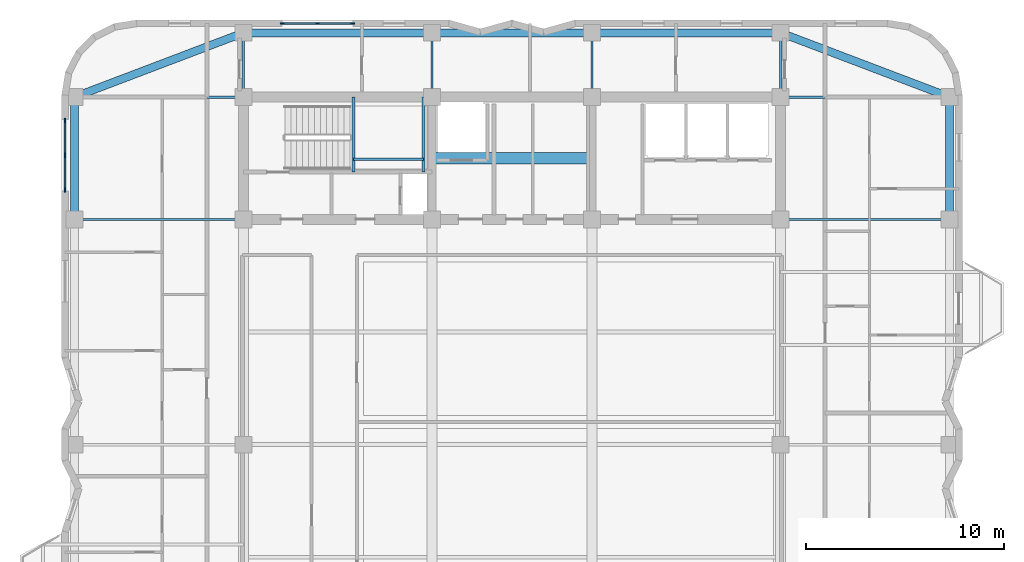
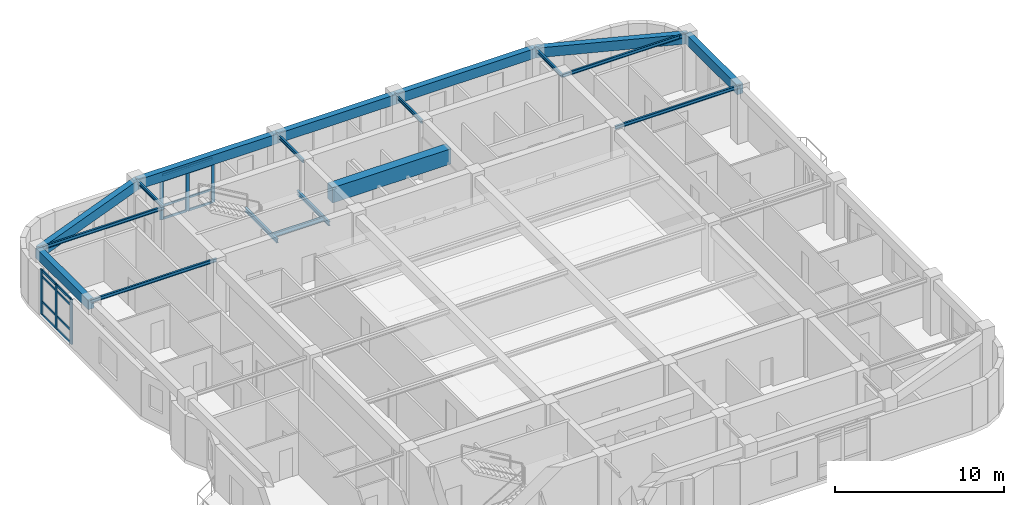
# One storey, part 3 of 11: 22 members, 19 beams, 2 elements without a shape of their own.
"""IFC4 building model written with IfcOpenShell, lengths in metres."""

from ifc_helpers import new_model, si_unit, direction, frame, origin, origin_2d, place, context, subcontext, project, spatial, rectangle, i_section, extrude, material, material_profile, profile_set, type_object, element, aggregate, save


model = new_model("IFC4")

# Units and contexts
model_context = context("Model", 3, precision=1e-05, world=origin(), true_north=direction((0.0, 1.0)))
body_context = subcontext(model_context, "Body", "Model", "MODEL_VIEW")
ifc_project = project(units=[si_unit("LENGTHUNIT", "METRE"), si_unit("AREAUNIT", "SQUARE_METRE"), si_unit("VOLUMEUNIT", "CUBIC_METRE"), si_unit("PLANEANGLEUNIT", "RADIAN"), si_unit("MASSUNIT", "GRAM", prefix="KILO")], contexts=[model_context])

# Site, building, storey
site_placement = place(None, origin())
site = spatial("IfcSite", under=ifc_project, at=site_placement, CompositionType="ELEMENT")
building_placement = place(site_placement, origin())
building = spatial("IfcBuilding", under=site, at=building_placement, Name="Svetorya Sky Lyceum", CompositionType="ELEMENT")
storey_placement = place(building_placement, frame((0.0, 0.0, 203.10009765625)))
storey = spatial("IfcBuildingStorey", under=building, at=storey_placement, Name="L50", CompositionType="ELEMENT", Elevation=203.10009765625)

# Beams
ifc_material_1 = material(Name="Concrete C60/75", Category="concrete")
ifc_material_profile_1 = material_profile(ifc_material_1, rectangle(XDim=0.60009765625, YDim=1.10009765625, at=origin_2d()), Name="RC COUPLING 600x1100")
ifc_profile_set_1 = profile_set([ifc_material_profile_1], Name="Concrete C60/75")
beam_type_1 = type_object("IfcBeamType", Name="BM-CPL-1100", PredefinedType="LINTEL", material=ifc_profile_set_1)
beam_1_placement = place(storey_placement, frame((35.14990234375, 42.699951171875, 3.389892578125), z_axis=(1.0, 0.0, 0.0), x_axis=(0.0, 1.0, 0.0)))
element("IfcBeam", 1, at=beam_1_placement, inside=storey, type_object=beam_type_1, Name="L50 NC Core Coupling Beam", PredefinedType="LINTEL", context=body_context, shape_type="SweptSolid", body=[
    extrude(rectangle(XDim=0.60009765625, YDim=1.10009765625, at=origin_2d()), origin(), (0.0, 0.0, 1.0), 8.10009765625),
])
ifc_material_2 = material(Name="Concrete C50/60", Category="concrete")
ifc_material_profile_2 = material_profile(ifc_material_2, rectangle(XDim=0.39990234375, YDim=0.699951171875, at=origin_2d()), Name="RC SPANDREL 400x700")
ifc_profile_set_2 = profile_set([ifc_material_profile_2], Name="Concrete C50/60")
beam_type_2 = type_object("IfcBeamType", Name="BM-SPN-700", PredefinedType="SPANDREL", material=ifc_profile_set_2)
beam_2_placement = place(storey_placement, frame((25.60009765625, 49.050048828125, 3.58984375), z_axis=(1.0, 0.0, 0.0), x_axis=(0.0, 1.0, 0.0)))
element("IfcBeam", 2, at=beam_2_placement, inside=storey, type_object=beam_type_2, Name="L50 North Spandrel 1", PredefinedType="SPANDREL", context=body_context, shape_type="SweptSolid", body=[
    extrude(rectangle(XDim=0.39990234375, YDim=0.699951171875, at=origin_2d()), origin(), (0.0, 0.0, 1.0), 9.5498046875),
])
beam_3_placement = place(storey_placement, frame((35.14990234375, 49.050048828125, 3.58984375), z_axis=(1.0, 0.0, 0.0), x_axis=(0.0, 1.0, 0.0)))
element("IfcBeam", 3, at=beam_3_placement, inside=storey, type_object=beam_type_2, Name="L50 North Spandrel 2", PredefinedType="SPANDREL", context=body_context, shape_type="SweptSolid", body=[
    extrude(rectangle(XDim=0.39990234375, YDim=0.699951171875, at=origin_2d()), origin(), (0.0, 0.0, 1.0), 8.10009765625),
])
beam_4_placement = place(storey_placement, frame((43.25, 49.050048828125, 3.58984375), z_axis=(1.0, 0.0, 0.0), x_axis=(0.0, 1.0, 0.0)))
element("IfcBeam", 4, at=beam_4_placement, inside=storey, type_object=beam_type_2, Name="L50 North Spandrel 3", PredefinedType="SPANDREL", context=body_context, shape_type="SweptSolid", body=[
    extrude(rectangle(XDim=0.39990234375, YDim=0.699951171875, at=origin_2d()), origin(), (0.0, 0.0, 1.0), 9.550048828125),
])
for number, where, z_axis, x_axis, name in (
    (5, (61.35009765625, 45.800048828125, 3.58984375), (-0.934747947367, 0.355311518099, 0.0), (-0.355311518099, -0.934747947367, 0.0), "L50 Corner Spandrel 3"),
    (6, (17.050048828125, 45.800048828125, 3.58984375), (0.934747947367, 0.355311518099, 0.0), (-0.355311518099, 0.934747947367, 0.0), "L50 Corner Spandrel 4"),
):
    element("IfcBeam", number, at=place(storey_placement, frame(where, z_axis=z_axis, x_axis=x_axis)), inside=storey, type_object=beam_type_2, Name=name, PredefinedType="SPANDREL", context=body_context, shape_type="SweptSolid", body=[
        extrude(rectangle(XDim=0.39990234375, YDim=0.699951171875, at=origin_2d()), origin(), (0.0, 0.0, 1.0), 9.14697265625),
    ])
for number, where, z_axis, x_axis, name in (
    (7, (17.050048828125, 39.60009765625, 3.58984375), (0.0, 1.0, 0.0), (-1.0, 0.0, 0.0), "L50 West Spandrel 4"),
    (8, (61.35009765625, 39.60009765625, 3.58984375), (0.0, 1.0, 0.0), (-1.0, 0.0, 0.0), "L50 East Spandrel 4"),
):
    element("IfcBeam", number, at=place(storey_placement, frame(where, z_axis=z_axis, x_axis=x_axis)), inside=storey, type_object=beam_type_2, Name=name, PredefinedType="SPANDREL", context=body_context, shape_type="SweptSolid", body=[
        extrude(rectangle(XDim=0.39990234375, YDim=0.699951171875, at=origin_2d()), origin(), (0.0, 0.0, 1.0), 6.199951171875),
    ])
ifc_material_3 = material(Name="Steel S355", Category="steel")
ifc_material_profile_3 = material_profile(ifc_material_3, i_section(OverallWidth=0.1240234375, OverallDepth=0.248046875, WebThickness=0.006103515625, FlangeThickness=0.009521484375, at=origin_2d()), Name="GOST 25B2")
ifc_profile_set_3 = profile_set([ifc_material_profile_3], Name="Steel S355")
beam_type_3 = type_object("IfcBeamType", Name="BM-STL-25B2", PredefinedType="JOIST", material=ifc_profile_set_3)
for number, where, z_axis, x_axis, name in (
    (9, (17.050048828125, 39.60009765625, 3.81591796875), (1.0, 0.0, 0.0), (0.0, 1.0, 0.0), "L50 West Wing Floor Joist W4"),
    (10, (52.800048828125, 39.60009765625, 3.81591796875), (1.0, 0.0, 0.0), (0.0, 1.0, 0.0), "L50 East Wing Floor Joist E4"),
    (11, (17.050048828125, 45.800048828125, 3.81591796875), (1.0, 0.0, 0.0), (0.0, 1.0, 0.0), "L50 West Wing Floor Joist W5"),
    (12, (52.800048828125, 45.800048828125, 3.81591796875), (1.0, 0.0, 0.0), (0.0, 1.0, 0.0), "L50 East Wing Floor Joist E5"),
):
    element("IfcBeam", number, at=place(storey_placement, frame(where, z_axis=z_axis, x_axis=x_axis)), inside=storey, type_object=beam_type_3, Name=name, PredefinedType="JOIST", context=body_context, shape_type="SweptSolid", body=[
        extrude(i_section(OverallWidth=0.1240234375, OverallDepth=0.248046875, WebThickness=0.006103515625, FlangeThickness=0.009521484375, at=origin_2d()), origin(), (0.0, 0.0, 1.0), 8.550048828125),
    ])
for number, where, z_axis, x_axis, name in (
    (13, (25.60009765625, 45.800048828125, 3.81591796875), (0.0, 1.0, 0.0), (-1.0, 0.0, 0.0), "L50 North Bay Floor Girder N1"),
    (14, (35.14990234375, 45.800048828125, 3.81591796875), (0.0, 1.0, 0.0), (-1.0, 0.0, 0.0), "L50 North Bay Floor Girder N2"),
    (15, (43.25, 45.800048828125, 3.81591796875), (0.0, 1.0, 0.0), (-1.0, 0.0, 0.0), "L50 North Bay Floor Girder N3"),
    (16, (52.800048828125, 45.800048828125, 3.81591796875), (0.0, 1.0, 0.0), (-1.0, 0.0, 0.0), "L50 North Bay Floor Girder N4"),
):
    element("IfcBeam", number, at=place(storey_placement, frame(where, z_axis=z_axis, x_axis=x_axis)), inside=storey, type_object=beam_type_3, Name=name, PredefinedType="JOIST", context=body_context, shape_type="SweptSolid", body=[
        extrude(i_section(OverallWidth=0.1240234375, OverallDepth=0.248046875, WebThickness=0.006103515625, FlangeThickness=0.009521484375, at=origin_2d()), origin(), (0.0, 0.0, 1.0), 3.25),
    ])
ifc_material_profile_4 = material_profile(ifc_material_3, i_section(OverallWidth=0.14990234375, OverallDepth=0.299072265625, WebThickness=0.006591796875, FlangeThickness=0.010498046875, at=origin_2d()), Name="GOST 30B2")
ifc_profile_set_4 = profile_set([ifc_material_profile_4], Name="Steel S355")
beam_type_4 = type_object("IfcBeamType", Name="BM-STL-30B2", PredefinedType="JOIST", material=ifc_profile_set_4)
for number, where, z_axis, x_axis, name in (
    (17, (31.179931640625, 42.0, 1.75048828125), (0.0, 1.0, 0.0), (-1.0, 0.0, 0.0), "L50 Stair ST-N Half-Landing Support Beam 58.1"),
    (18, (34.719970703125, 42.0, 1.75048828125), (0.0, 1.0, 0.0), (-1.0, 0.0, 0.0), "L50 Stair ST-N Half-Landing Support Beam 58.2"),
):
    element("IfcBeam", number, at=place(storey_placement, frame(where, z_axis=z_axis, x_axis=x_axis)), inside=storey, type_object=beam_type_4, Name=name, PredefinedType="JOIST", context=body_context, shape_type="SweptSolid", body=[
        extrude(i_section(OverallWidth=0.14990234375, OverallDepth=0.299072265625, WebThickness=0.006591796875, FlangeThickness=0.010498046875, at=origin_2d()), origin(), (0.0, 0.0, 1.0), 3.800048828125),
    ])
beam_5_placement = place(storey_placement, frame((31.179931640625, 42.64990234375, 1.75048828125), z_axis=(1.0, 0.0, 0.0), x_axis=(0.0, 1.0, 0.0)))
element("IfcBeam", 19, at=beam_5_placement, inside=storey, type_object=beam_type_4, Name="L50 Stair ST-N Half-Landing Cross Tie 58", PredefinedType="JOIST", context=body_context, shape_type="SweptSolid", body=[
    extrude(i_section(OverallWidth=0.14990234375, OverallDepth=0.299072265625, WebThickness=0.006591796875, FlangeThickness=0.010498046875, at=origin_2d()), origin(), (0.0, 0.0, 1.0), 3.5400390625),
])

# Curtain wall, members
ifc_material_4 = material(Name="Thermally broken anodized aluminium and triple low-E glass", Category="aluminium")
curtain_wall_type = type_object("IfcCurtainWallType", Name="CW4-SKY-GALL", PredefinedType="NOTDEFINED", material=ifc_material_4)
curtain_wall_1_placement = place(storey_placement, origin())
curtain_wall_1 = element("IfcCurtainWall", 20, at=curtain_wall_1_placement, inside=storey, type_object=curtain_wall_type, Name="L50 Sky-Lobby Panorama Curtain Wall 34", PredefinedType="NOTDEFINED")
ifc_material_5 = material(Name="Thermally broken anodized aluminium EN AW-6060", Category="aluminium")
ifc_material_profile_5 = material_profile(ifc_material_5, rectangle(XDim=0.0849609375, YDim=0.239990234375, at=origin_2d()), Name="ALU MULLION 85x240")
ifc_profile_set_5 = profile_set([ifc_material_profile_5], Name="Thermally broken anodized aluminium EN AW-6060")
member_type_1 = type_object("IfcMemberType", Name="CWM-MUL-240", PredefinedType="MULLION", material=ifc_profile_set_5)
member_1_placement = place(storey_placement, frame((31.107421875, 49.530029296875, 0.0), z_axis=(0.0, 0.0, 1.0), x_axis=(0.0, -1.0, 0.0)))
member_1 = element("IfcMember", 21, at=member_1_placement, type_object=member_type_1, Name="CW-4 mullion 1", PredefinedType="MULLION", context=body_context, shape_type="SweptSolid", body=[
    extrude(rectangle(XDim=0.0849609375, YDim=0.239990234375, at=origin_2d()), origin(), (0.0, 0.0, 1.0), 3.219970703125),
])
member_2_placement = place(storey_placement, frame((29.35009765625, 49.530029296875, 0.0), z_axis=(0.0, 0.0, 1.0), x_axis=(0.0, -1.0, 0.0)))
member_2 = element("IfcMember", 22, at=member_2_placement, type_object=member_type_1, Name="CW-4 mullion 2", PredefinedType="MULLION", context=body_context, shape_type="SweptSolid", body=[
    extrude(rectangle(XDim=0.0849609375, YDim=0.239990234375, at=origin_2d()), origin(), (0.0, 0.0, 1.0), 3.219970703125),
])
member_3_placement = place(storey_placement, frame((27.592529296875, 49.530029296875, 0.0), z_axis=(0.0, 0.0, 1.0), x_axis=(0.0, -1.0, 0.0)))
member_3 = element("IfcMember", 23, at=member_3_placement, type_object=member_type_1, Name="CW-4 mullion 3", PredefinedType="MULLION", context=body_context, shape_type="SweptSolid", body=[
    extrude(rectangle(XDim=0.0849609375, YDim=0.239990234375, at=origin_2d()), origin(), (0.0, 0.0, 1.0), 3.219970703125),
])

curtain_wall_2_placement = place(storey_placement, origin())
curtain_wall_2 = element("IfcCurtainWall", 24, at=curtain_wall_2_placement, inside=storey, type_object=curtain_wall_type, Name="L50 Sky-Lobby Panorama Curtain Wall 40", PredefinedType="NOTDEFINED")
member_4_placement = place(storey_placement, frame((16.570068359375, 44.607421875, 0.0), z_axis=(0.0, 0.0, 1.0), x_axis=(1.0, 0.0, 0.0)))
member_4 = element("IfcMember", 25, at=member_4_placement, type_object=member_type_1, Name="CW-4 mullion 1", PredefinedType="MULLION", context=body_context, shape_type="SweptSolid", body=[
    extrude(rectangle(XDim=0.0849609375, YDim=0.239990234375, at=origin_2d()), origin(), (0.0, 0.0, 1.0), 3.219970703125),
])
member_5_placement = place(storey_placement, frame((16.570068359375, 42.85009765625, 0.0), z_axis=(0.0, 0.0, 1.0), x_axis=(1.0, 0.0, 0.0)))
member_5 = element("IfcMember", 26, at=member_5_placement, type_object=member_type_1, Name="CW-4 mullion 2", PredefinedType="MULLION", context=body_context, shape_type="SweptSolid", body=[
    extrude(rectangle(XDim=0.0849609375, YDim=0.239990234375, at=origin_2d()), origin(), (0.0, 0.0, 1.0), 3.219970703125),
])
member_6_placement = place(storey_placement, frame((16.570068359375, 41.092529296875, 0.0), z_axis=(0.0, 0.0, 1.0), x_axis=(1.0, 0.0, 0.0)))
member_6 = element("IfcMember", 27, at=member_6_placement, type_object=member_type_1, Name="CW-4 mullion 3", PredefinedType="MULLION", context=body_context, shape_type="SweptSolid", body=[
    extrude(rectangle(XDim=0.0849609375, YDim=0.239990234375, at=origin_2d()), origin(), (0.0, 0.0, 1.0), 3.219970703125),
])

# Member
ifc_material_profile_6 = material_profile(ifc_material_5, rectangle(XDim=0.074951171875, YDim=0.159912109375, at=origin_2d()), Name="ALU TRANSOM 75x160")
ifc_profile_set_6 = profile_set([ifc_material_profile_6], Name="Thermally broken anodized aluminium EN AW-6060")
member_type_2 = type_object("IfcMemberType", Name="CWM-TRN-160", PredefinedType="USERDEFINED", material=ifc_profile_set_6)
member_7_placement = place(storey_placement, frame((31.06640625, 49.530029296875, 0.037353515625), z_axis=(-1.0, 0.0, 0.0), x_axis=(0.0, -1.0, 0.0)))
member_7 = element("IfcMember", 28, at=member_7_placement, type_object=member_type_2, Name="CW-4 transom 1.1", ObjectType="TRANSOM", PredefinedType="USERDEFINED", context=body_context, shape_type="SweptSolid", body=[
    extrude(rectangle(XDim=0.074951171875, YDim=0.159912109375, at=origin_2d()), origin(), (0.0, 0.0, 1.0), 1.67529296875),
])

member_8_placement = place(storey_placement, frame((31.06640625, 49.530029296875, 0.9658203125), z_axis=(-1.0, 0.0, 0.0), x_axis=(0.0, -1.0, 0.0)))
member_8 = element("IfcMember", 29, at=member_8_placement, type_object=member_type_2, Name="CW-4 transom 1.2", ObjectType="TRANSOM", PredefinedType="USERDEFINED", context=body_context, shape_type="SweptSolid", body=[
    extrude(rectangle(XDim=0.074951171875, YDim=0.159912109375, at=origin_2d()), origin(), (0.0, 0.0, 1.0), 1.67529296875),
])

member_9_placement = place(storey_placement, frame((31.06640625, 49.530029296875, 2.77001953125), z_axis=(-1.0, 0.0, 0.0), x_axis=(0.0, -1.0, 0.0)))
member_9 = element("IfcMember", 30, at=member_9_placement, type_object=member_type_2, Name="CW-4 transom 1.3", ObjectType="TRANSOM", PredefinedType="USERDEFINED", context=body_context, shape_type="SweptSolid", body=[
    extrude(rectangle(XDim=0.074951171875, YDim=0.159912109375, at=origin_2d()), origin(), (0.0, 0.0, 1.0), 1.67529296875),
])

member_10_placement = place(storey_placement, frame((31.06640625, 49.530029296875, 3.182373046875), z_axis=(-1.0, 0.0, 0.0), x_axis=(0.0, -1.0, 0.0)))
member_10 = element("IfcMember", 31, at=member_10_placement, type_object=member_type_2, Name="CW-4 transom 1.4", ObjectType="TRANSOM", PredefinedType="USERDEFINED", context=body_context, shape_type="SweptSolid", body=[
    extrude(rectangle(XDim=0.074951171875, YDim=0.159912109375, at=origin_2d()), origin(), (0.0, 0.0, 1.0), 1.67529296875),
])

member_11_placement = place(storey_placement, frame((29.30908203125, 49.530029296875, 0.037353515625), z_axis=(-1.0, 0.0, 0.0), x_axis=(0.0, -1.0, 0.0)))
member_11 = element("IfcMember", 32, at=member_11_placement, type_object=member_type_2, Name="CW-4 transom 2.1", ObjectType="TRANSOM", PredefinedType="USERDEFINED", context=body_context, shape_type="SweptSolid", body=[
    extrude(rectangle(XDim=0.074951171875, YDim=0.159912109375, at=origin_2d()), origin(), (0.0, 0.0, 1.0), 1.675537109375),
])

member_12_placement = place(storey_placement, frame((29.30908203125, 49.530029296875, 0.9658203125), z_axis=(-1.0, 0.0, 0.0), x_axis=(0.0, -1.0, 0.0)))
member_12 = element("IfcMember", 33, at=member_12_placement, type_object=member_type_2, Name="CW-4 transom 2.2", ObjectType="TRANSOM", PredefinedType="USERDEFINED", context=body_context, shape_type="SweptSolid", body=[
    extrude(rectangle(XDim=0.074951171875, YDim=0.159912109375, at=origin_2d()), origin(), (0.0, 0.0, 1.0), 1.675537109375),
])

member_13_placement = place(storey_placement, frame((29.30908203125, 49.530029296875, 2.77001953125), z_axis=(-1.0, 0.0, 0.0), x_axis=(0.0, -1.0, 0.0)))
member_13 = element("IfcMember", 34, at=member_13_placement, type_object=member_type_2, Name="CW-4 transom 2.3", ObjectType="TRANSOM", PredefinedType="USERDEFINED", context=body_context, shape_type="SweptSolid", body=[
    extrude(rectangle(XDim=0.074951171875, YDim=0.159912109375, at=origin_2d()), origin(), (0.0, 0.0, 1.0), 1.675537109375),
])

member_14_placement = place(storey_placement, frame((29.30908203125, 49.530029296875, 3.182373046875), z_axis=(-1.0, 0.0, 0.0), x_axis=(0.0, -1.0, 0.0)))
member_14 = element("IfcMember", 35, at=member_14_placement, type_object=member_type_2, Name="CW-4 transom 2.4", ObjectType="TRANSOM", PredefinedType="USERDEFINED", context=body_context, shape_type="SweptSolid", body=[
    extrude(rectangle(XDim=0.074951171875, YDim=0.159912109375, at=origin_2d()), origin(), (0.0, 0.0, 1.0), 1.675537109375),
])

aggregate(curtain_wall_1, [member_1, member_2, member_3, member_7, member_8, member_9, member_10, member_11, member_12, member_13, member_14])

member_15_placement = place(storey_placement, frame((16.570068359375, 44.56640625, 0.037353515625), z_axis=(0.0, -1.0, 0.0), x_axis=(1.0, 0.0, 0.0)))
member_15 = element("IfcMember", 36, at=member_15_placement, type_object=member_type_2, Name="CW-4 transom 1.1", ObjectType="TRANSOM", PredefinedType="USERDEFINED", context=body_context, shape_type="SweptSolid", body=[
    extrude(rectangle(XDim=0.074951171875, YDim=0.159912109375, at=origin_2d()), origin(), (0.0, 0.0, 1.0), 1.67529296875),
])

member_16_placement = place(storey_placement, frame((16.570068359375, 44.56640625, 0.9658203125), z_axis=(0.0, -1.0, 0.0), x_axis=(1.0, 0.0, 0.0)))
member_16 = element("IfcMember", 37, at=member_16_placement, type_object=member_type_2, Name="CW-4 transom 1.2", ObjectType="TRANSOM", PredefinedType="USERDEFINED", context=body_context, shape_type="SweptSolid", body=[
    extrude(rectangle(XDim=0.074951171875, YDim=0.159912109375, at=origin_2d()), origin(), (0.0, 0.0, 1.0), 1.67529296875),
])

member_17_placement = place(storey_placement, frame((16.570068359375, 44.56640625, 2.77001953125), z_axis=(0.0, -1.0, 0.0), x_axis=(1.0, 0.0, 0.0)))
member_17 = element("IfcMember", 38, at=member_17_placement, type_object=member_type_2, Name="CW-4 transom 1.3", ObjectType="TRANSOM", PredefinedType="USERDEFINED", context=body_context, shape_type="SweptSolid", body=[
    extrude(rectangle(XDim=0.074951171875, YDim=0.159912109375, at=origin_2d()), origin(), (0.0, 0.0, 1.0), 1.67529296875),
])

member_18_placement = place(storey_placement, frame((16.570068359375, 44.56640625, 3.182373046875), z_axis=(0.0, -1.0, 0.0), x_axis=(1.0, 0.0, 0.0)))
member_18 = element("IfcMember", 39, at=member_18_placement, type_object=member_type_2, Name="CW-4 transom 1.4", ObjectType="TRANSOM", PredefinedType="USERDEFINED", context=body_context, shape_type="SweptSolid", body=[
    extrude(rectangle(XDim=0.074951171875, YDim=0.159912109375, at=origin_2d()), origin(), (0.0, 0.0, 1.0), 1.67529296875),
])

member_19_placement = place(storey_placement, frame((16.570068359375, 42.80908203125, 0.037353515625), z_axis=(0.0, -1.0, 0.0), x_axis=(1.0, 0.0, 0.0)))
member_19 = element("IfcMember", 40, at=member_19_placement, type_object=member_type_2, Name="CW-4 transom 2.1", ObjectType="TRANSOM", PredefinedType="USERDEFINED", context=body_context, shape_type="SweptSolid", body=[
    extrude(rectangle(XDim=0.074951171875, YDim=0.159912109375, at=origin_2d()), origin(), (0.0, 0.0, 1.0), 1.675537109375),
])

member_20_placement = place(storey_placement, frame((16.570068359375, 42.80908203125, 0.9658203125), z_axis=(0.0, -1.0, 0.0), x_axis=(1.0, 0.0, 0.0)))
member_20 = element("IfcMember", 41, at=member_20_placement, type_object=member_type_2, Name="CW-4 transom 2.2", ObjectType="TRANSOM", PredefinedType="USERDEFINED", context=body_context, shape_type="SweptSolid", body=[
    extrude(rectangle(XDim=0.074951171875, YDim=0.159912109375, at=origin_2d()), origin(), (0.0, 0.0, 1.0), 1.675537109375),
])

member_21_placement = place(storey_placement, frame((16.570068359375, 42.80908203125, 2.77001953125), z_axis=(0.0, -1.0, 0.0), x_axis=(1.0, 0.0, 0.0)))
member_21 = element("IfcMember", 42, at=member_21_placement, type_object=member_type_2, Name="CW-4 transom 2.3", ObjectType="TRANSOM", PredefinedType="USERDEFINED", context=body_context, shape_type="SweptSolid", body=[
    extrude(rectangle(XDim=0.074951171875, YDim=0.159912109375, at=origin_2d()), origin(), (0.0, 0.0, 1.0), 1.675537109375),
])

member_22_placement = place(storey_placement, frame((16.570068359375, 42.80908203125, 3.182373046875), z_axis=(0.0, -1.0, 0.0), x_axis=(1.0, 0.0, 0.0)))
member_22 = element("IfcMember", 43, at=member_22_placement, type_object=member_type_2, Name="CW-4 transom 2.4", ObjectType="TRANSOM", PredefinedType="USERDEFINED", context=body_context, shape_type="SweptSolid", body=[
    extrude(rectangle(XDim=0.074951171875, YDim=0.159912109375, at=origin_2d()), origin(), (0.0, 0.0, 1.0), 1.675537109375),
])

aggregate(curtain_wall_2, [member_4, member_5, member_6, member_15, member_16, member_17, member_18, member_19, member_20, member_21, member_22])

save(model, "model.ifc")
